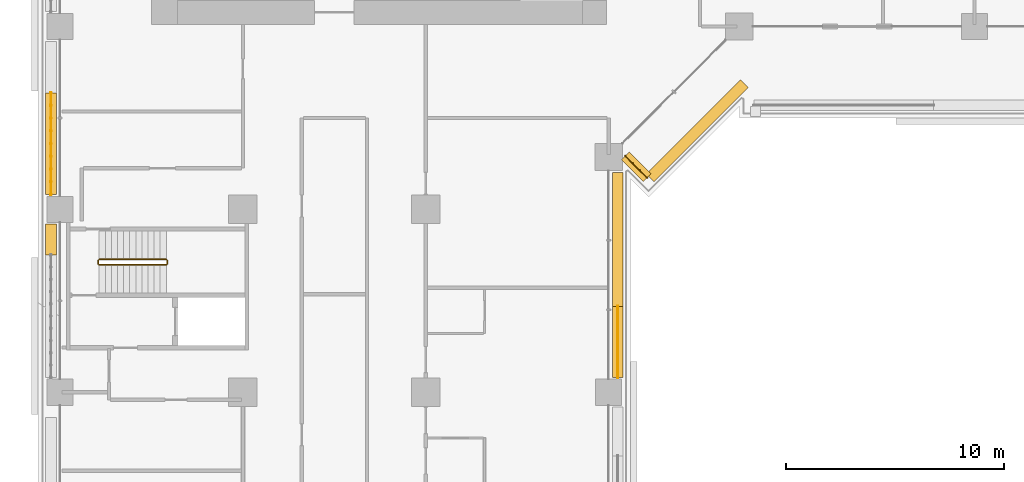
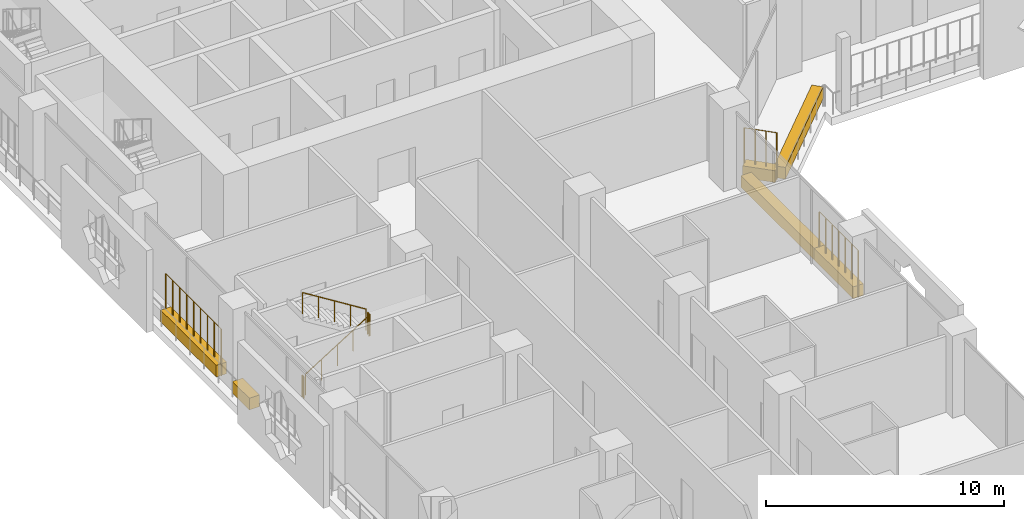
# One storey, part 22 of 28: 7 railings, 6 coverings.
"""IFC4 building model written with IfcOpenShell, lengths in metres."""

from ifc_helpers import new_model, si_unit, direction, frame, origin, origin_2d, place, context, subcontext, project, spatial, rectangle, circle, extrude, material, material_profile, profile_set, type_object, element, save


model = new_model("IFC4")

# Units and contexts
model_context = context("Model", 3, precision=1e-05, world=origin(), true_north=direction((0.0, 1.0)))
body_context = subcontext(model_context, "Body", "Model", "MODEL_VIEW")
ifc_project = project(units=[si_unit("LENGTHUNIT", "METRE"), si_unit("AREAUNIT", "SQUARE_METRE"), si_unit("VOLUMEUNIT", "CUBIC_METRE"), si_unit("PLANEANGLEUNIT", "RADIAN"), si_unit("MASSUNIT", "GRAM", prefix="KILO")], contexts=[model_context])

# Site, building, storey
site_placement = place(None, origin())
site = spatial("IfcSite", under=ifc_project, at=site_placement, CompositionType="ELEMENT")
building_placement = place(site_placement, origin())
building = spatial("IfcBuilding", under=site, at=building_placement, Name="Kawkab Arch Medical Tower", CompositionType="ELEMENT")
storey_placement = place(building_placement, frame((0.0, 0.0, 72.800048828125)))
storey = spatial("IfcBuildingStorey", under=building, at=storey_placement, Name="L16", CompositionType="ELEMENT", Elevation=72.800048828125)

# Coverings
ifc_material_1 = material(Name="Planting soil in a precast trough", Category="concrete")
ifc_material_profile = material_profile(ifc_material_1, rectangle(XDim=0.5, YDim=0.60009765625, at=origin_2d()), Name="Trough 500x600")
ifc_profile_set = profile_set([ifc_material_profile], Name="Planting soil in a precast trough")
covering_type = type_object("IfcCoveringType", Name="Planter trough 500 x 600", PredefinedType="USERDEFINED", material=ifc_profile_set)
covering_1_placement = place(storey_placement, frame((-0.419921875, -35.699951171875, 0.300048828125), z_axis=(0.0, 1.0, 0.0), x_axis=(-1.0, 0.0, 0.0)))
element("IfcCovering", 1, at=covering_1_placement, inside=storey, type_object=covering_type, Name="Planter L16.LOG-01-01.10", ObjectType="PLANTER", PredefinedType="USERDEFINED", context=body_context, shape_type="SweptSolid", body=[
    extrude(rectangle(XDim=0.5, YDim=0.60009765625, at=origin_2d()), origin(), (0.0, 0.0, 1.0), 1.419921875),
])
covering_2_placement = place(storey_placement, frame((-0.419921875, -32.919921875, 0.300048828125), z_axis=(0.0, 1.0, 0.0), x_axis=(-1.0, 0.0, 0.0)))
element("IfcCovering", 2, at=covering_2_placement, inside=storey, type_object=covering_type, Name="Planter L16.LOG-01-01.11", ObjectType="PLANTER", PredefinedType="USERDEFINED", context=body_context, shape_type="SweptSolid", body=[
    extrude(rectangle(XDim=0.5, YDim=0.60009765625, at=origin_2d()), origin(), (0.0, 0.0, 1.0), 4.676025390625),
])
covering_3_placement = place(storey_placement, frame((31.43701171875, -27.820068359375, 0.300048828125), z_axis=(-0.707206504313, -0.707007043994, 0.0), x_axis=(0.707007043994, -0.707206504313, 0.0)))
element("IfcCovering", 3, at=covering_3_placement, inside=storey, type_object=covering_type, Name="Planter L16.LOG-01-01.42", ObjectType="PLANTER", PredefinedType="USERDEFINED", context=body_context, shape_type="SweptSolid", body=[
    extrude(rectangle(XDim=0.5, YDim=0.60009765625, at=origin_2d()), origin(), (0.0, 0.0, 1.0), 6.1201171875),
])
covering_4_placement = place(storey_placement, frame((26.967041015625, -32.14697265625, 0.300048828125), z_axis=(-0.707192746389, 0.707020805532, 0.0), x_axis=(-0.707020805532, -0.707192746389, 0.0)))
element("IfcCovering", 4, at=covering_4_placement, inside=storey, type_object=covering_type, Name="Planter L16.LOG-01-01.43", ObjectType="PLANTER", PredefinedType="USERDEFINED", context=body_context, shape_type="SweptSolid", body=[
    extrude(rectangle(XDim=0.5, YDim=0.60009765625, at=origin_2d()), origin(), (0.0, 0.0, 1.0), 1.419921875),
])
covering_5_placement = place(storey_placement, frame((25.6201171875, -31.905029296875, 0.300048828125), z_axis=(0.0, -1.0, 0.0), x_axis=(1.0, 0.0, 0.0)))
element("IfcCovering", 5, at=covering_5_placement, inside=storey, type_object=covering_type, Name="Planter L16.LOG-01-01.44", ObjectType="PLANTER", PredefinedType="USERDEFINED", context=body_context, shape_type="SweptSolid", body=[
    extrude(rectangle(XDim=0.5, YDim=0.60009765625, at=origin_2d()), origin(), (0.0, 0.0, 1.0), 6.14794921875),
])
covering_6_placement = place(storey_placement, frame((25.6201171875, -38.052978515625, 0.300048828125), z_axis=(0.0, -1.0, 0.0), x_axis=(1.0, 0.0, 0.0)))
element("IfcCovering", 6, at=covering_6_placement, inside=storey, type_object=covering_type, Name="Planter L16.LOG-01-01.45", ObjectType="PLANTER", PredefinedType="USERDEFINED", context=body_context, shape_type="SweptSolid", body=[
    extrude(rectangle(XDim=0.5, YDim=0.60009765625, at=origin_2d()), origin(), (0.0, 0.0, 1.0), 3.26708984375),
])

# Railings
ifc_material_2 = material(Name="Bronze anodised aluminium trellis for climbing plants", Category="aluminium")
railing_type_1 = type_object("IfcRailingType", Name="Planting trellis 2400", PredefinedType="USERDEFINED", material=ifc_material_2)
railing_1_placement = place(storey_placement, frame((-0.419921875, -32.919921875, 0.0)))
element("IfcRailing", 7, at=railing_1_placement, inside=storey, type_object=railing_type_1, Name="Planting trellis L16.LOG-01-01.11", ObjectType="TRELLIS", PredefinedType="USERDEFINED", context=body_context, shape_type="SweptSolid", body=[
    extrude(circle(Radius=0.01513671875, at=origin_2d()), frame((0.0, 0.0, 2.384765625), z_axis=(0.0, 1.0, 0.0), x_axis=(-1.0, 0.0, 0.0)), (0.0, 0.0, 1.0), 4.676025390625),
    extrude(circle(Radius=0.030029296875, at=origin_2d()), origin(), (0.0, 0.0, 1.0), 2.369873046875),
    extrude(circle(Radius=0.030029296875, at=origin_2d()), frame((0.0, 0.58447265625, 0.0)), (0.0, 0.0, 1.0), 2.369873046875),
    extrude(circle(Radius=0.030029296875, at=origin_2d()), frame((0.0, 1.1689453125, 0.0)), (0.0, 0.0, 1.0), 2.369873046875),
    extrude(circle(Radius=0.030029296875, at=origin_2d()), frame((0.0, 1.75341796875, 0.0)), (0.0, 0.0, 1.0), 2.369873046875),
    extrude(circle(Radius=0.030029296875, at=origin_2d()), frame((0.0, 2.337890625, 0.0)), (0.0, 0.0, 1.0), 2.369873046875),
    extrude(circle(Radius=0.030029296875, at=origin_2d()), frame((0.0, 2.922607421875, 0.0)), (0.0, 0.0, 1.0), 2.369873046875),
    extrude(circle(Radius=0.030029296875, at=origin_2d()), frame((0.0, 3.507080078125, 0.0)), (0.0, 0.0, 1.0), 2.369873046875),
    extrude(circle(Radius=0.030029296875, at=origin_2d()), frame((0.0, 4.091552734375, 0.0)), (0.0, 0.0, 1.0), 2.369873046875),
    extrude(circle(Radius=0.030029296875, at=origin_2d()), frame((0.0, 4.676025390625, 0.0)), (0.0, 0.0, 1.0), 2.369873046875),
])
railing_2_placement = place(storey_placement, frame((26.967041015625, -32.14697265625, 0.0)))
element("IfcRailing", 8, at=railing_2_placement, inside=storey, type_object=railing_type_1, Name="Planting trellis L16.LOG-01-01.43", ObjectType="TRELLIS", PredefinedType="USERDEFINED", context=body_context, shape_type="SweptSolid", body=[
    extrude(circle(Radius=0.01513671875, at=origin_2d()), frame((0.0, 0.0, 2.384765625), z_axis=(-0.707192746389, 0.707020805532, 0.0), x_axis=(-0.707020805532, -0.707192746389, 0.0)), (0.0, 0.0, 1.0), 1.419921875),
    extrude(circle(Radius=0.030029296875, at=origin_2d()), origin(), (0.0, 0.0, 1.0), 2.369873046875),
    extrude(circle(Radius=0.030029296875, at=origin_2d()), frame((-0.334716796875, 0.334716796875, 0.0)), (0.0, 0.0, 1.0), 2.369873046875),
    extrude(circle(Radius=0.030029296875, at=origin_2d()), frame((-0.66943359375, 0.669189453125, 0.0)), (0.0, 0.0, 1.0), 2.369873046875),
    extrude(circle(Radius=0.030029296875, at=origin_2d()), frame((-1.004150390625, 1.00390625, 0.0)), (0.0, 0.0, 1.0), 2.369873046875),
])
railing_3_placement = place(storey_placement, frame((25.6201171875, -38.052978515625, 0.0)))
element("IfcRailing", 9, at=railing_3_placement, inside=storey, type_object=railing_type_1, Name="Planting trellis L16.LOG-01-01.45", ObjectType="TRELLIS", PredefinedType="USERDEFINED", context=body_context, shape_type="SweptSolid", body=[
    extrude(circle(Radius=0.01513671875, at=origin_2d()), frame((0.0, 0.0, 2.384765625), z_axis=(0.0, -1.0, 0.0), x_axis=(1.0, 0.0, 0.0)), (0.0, 0.0, 1.0), 3.26708984375),
    extrude(circle(Radius=0.030029296875, at=origin_2d()), origin(), (0.0, 0.0, 1.0), 2.369873046875),
    extrude(circle(Radius=0.030029296875, at=origin_2d()), frame((0.0, -0.54443359375, 0.0)), (0.0, 0.0, 1.0), 2.369873046875),
    extrude(circle(Radius=0.030029296875, at=origin_2d()), frame((0.0, -1.089111328125, 0.0)), (0.0, 0.0, 1.0), 2.369873046875),
    extrude(circle(Radius=0.030029296875, at=origin_2d()), frame((0.0, -1.633544921875, 0.0)), (0.0, 0.0, 1.0), 2.369873046875),
    extrude(circle(Radius=0.030029296875, at=origin_2d()), frame((0.0, -2.177978515625, 0.0)), (0.0, 0.0, 1.0), 2.369873046875),
    extrude(circle(Radius=0.030029296875, at=origin_2d()), frame((0.0, -2.72265625, 0.0)), (0.0, 0.0, 1.0), 2.369873046875),
    extrude(circle(Radius=0.030029296875, at=origin_2d()), frame((0.0, -3.26708984375, 0.0)), (0.0, 0.0, 1.0), 2.369873046875),
])
ifc_material_3 = material(Name="Stainless steel", Category="steel")
railing_type_2 = type_object("IfcRailingType", Name="Stair guard 1100", PredefinedType="GUARDRAIL", material=ifc_material_3)
railing_4_placement = place(storey_placement, frame((1.800048828125, -36.14990234375, 0.175048828125)))
element("IfcRailing", 10, at=railing_4_placement, inside=storey, type_object=railing_type_2, Name="L16 ST6 stair guard 1", PredefinedType="GUARDRAIL", context=body_context, shape_type="SweptSolid", body=[
    extrude(circle(Radius=0.02392578125, at=origin_2d()), frame((0.0, 0.0, 1.076171875), z_axis=(0.848009633417, 0.0, 0.529980812513), x_axis=(0.0, 1.0, 0.0)), (0.0, 0.0, 1.0), 3.6318359375),
    extrude(circle(Radius=0.02099609375, at=origin_2d()), origin(), (0.0, 0.0, 1.0), 1.052001953125),
    extrude(circle(Radius=0.02099609375, at=origin_2d()), frame((0.77001953125, 0.0, 0.481201171875)), (0.0, 0.0, 1.0), 1.052001953125),
    extrude(circle(Radius=0.02099609375, at=origin_2d()), frame((1.5400390625, 0.0, 0.96240234375)), (0.0, 0.0, 1.0), 1.052001953125),
    extrude(circle(Radius=0.02099609375, at=origin_2d()), frame((2.309814453125, 0.0, 1.443603515625)), (0.0, 0.0, 1.0), 1.052001953125),
    extrude(circle(Radius=0.02099609375, at=origin_2d()), frame((3.079833984375, 0.0, 1.9248046875)), (0.0, 0.0, 1.0), 1.052001953125),
])
railing_5_placement = place(storey_placement, frame((4.929931640625, -36.10009765625, 2.099853515625)))
element("IfcRailing", 11, at=railing_5_placement, inside=storey, type_object=railing_type_2, Name="L16 ST6 stair guard 2", PredefinedType="GUARDRAIL", context=body_context, shape_type="SweptSolid", body=[
    extrude(circle(Radius=0.02392578125, at=origin_2d()), frame((0.0, 0.0, 1.076171875), z_axis=(0.0, 1.0, 0.0), x_axis=(-1.0, 0.0, 0.0)), (0.0, 0.0, 1.0), 0.150146484375),
    extrude(circle(Radius=0.02099609375, at=origin_2d()), origin(), (0.0, 0.0, 1.0), 1.052001953125),
    extrude(circle(Radius=0.02099609375, at=origin_2d()), frame((0.0, 0.150146484375, 0.0)), (0.0, 0.0, 1.0), 1.052001953125),
])
railing_6_placement = place(storey_placement, frame((4.8798828125, -35.89990234375, 2.27490234375)))
element("IfcRailing", 12, at=railing_6_placement, inside=storey, type_object=railing_type_2, Name="L16 ST6 stair guard 3", PredefinedType="GUARDRAIL", context=body_context, shape_type="SweptSolid", body=[
    extrude(circle(Radius=0.02392578125, at=origin_2d()), frame((0.0, 0.0, 1.076171875), z_axis=(-0.847979421464, 0.0, 0.530029150871), x_axis=(0.0, -1.0, 0.0)), (0.0, 0.0, 1.0), 3.632080078125),
    extrude(circle(Radius=0.02099609375, at=origin_2d()), origin(), (0.0, 0.0, 1.0), 1.052001953125),
    extrude(circle(Radius=0.02099609375, at=origin_2d()), frame((-0.77001953125, 0.0, 0.481201171875)), (0.0, 0.0, 1.0), 1.052001953125),
    extrude(circle(Radius=0.02099609375, at=origin_2d()), frame((-1.5400390625, 0.0, 0.96240234375)), (0.0, 0.0, 1.0), 1.052001953125),
    extrude(circle(Radius=0.02099609375, at=origin_2d()), frame((-2.309814453125, 0.0, 1.44384765625)), (0.0, 0.0, 1.0), 1.052001953125),
    extrude(circle(Radius=0.02099609375, at=origin_2d()), frame((-3.079833984375, 0.0, 1.925048828125)), (0.0, 0.0, 1.0), 1.052001953125),
])
railing_7_placement = place(storey_placement, frame((1.75, -36.10009765625, 0.0)))
element("IfcRailing", 13, at=railing_7_placement, inside=storey, type_object=railing_type_2, Name="L16 ST6 stair guard 4", PredefinedType="GUARDRAIL", context=body_context, shape_type="SweptSolid", body=[
    extrude(circle(Radius=0.02392578125, at=origin_2d()), frame((0.0, 0.0, 1.076171875), z_axis=(0.0, 1.0, 0.0), x_axis=(-1.0, 0.0, 0.0)), (0.0, 0.0, 1.0), 0.150146484375),
    extrude(circle(Radius=0.02099609375, at=origin_2d()), origin(), (0.0, 0.0, 1.0), 1.052001953125),
    extrude(circle(Radius=0.02099609375, at=origin_2d()), frame((0.0, 0.150146484375, 0.0)), (0.0, 0.0, 1.0), 1.052001953125),
])

save(model, "model.ifc")
